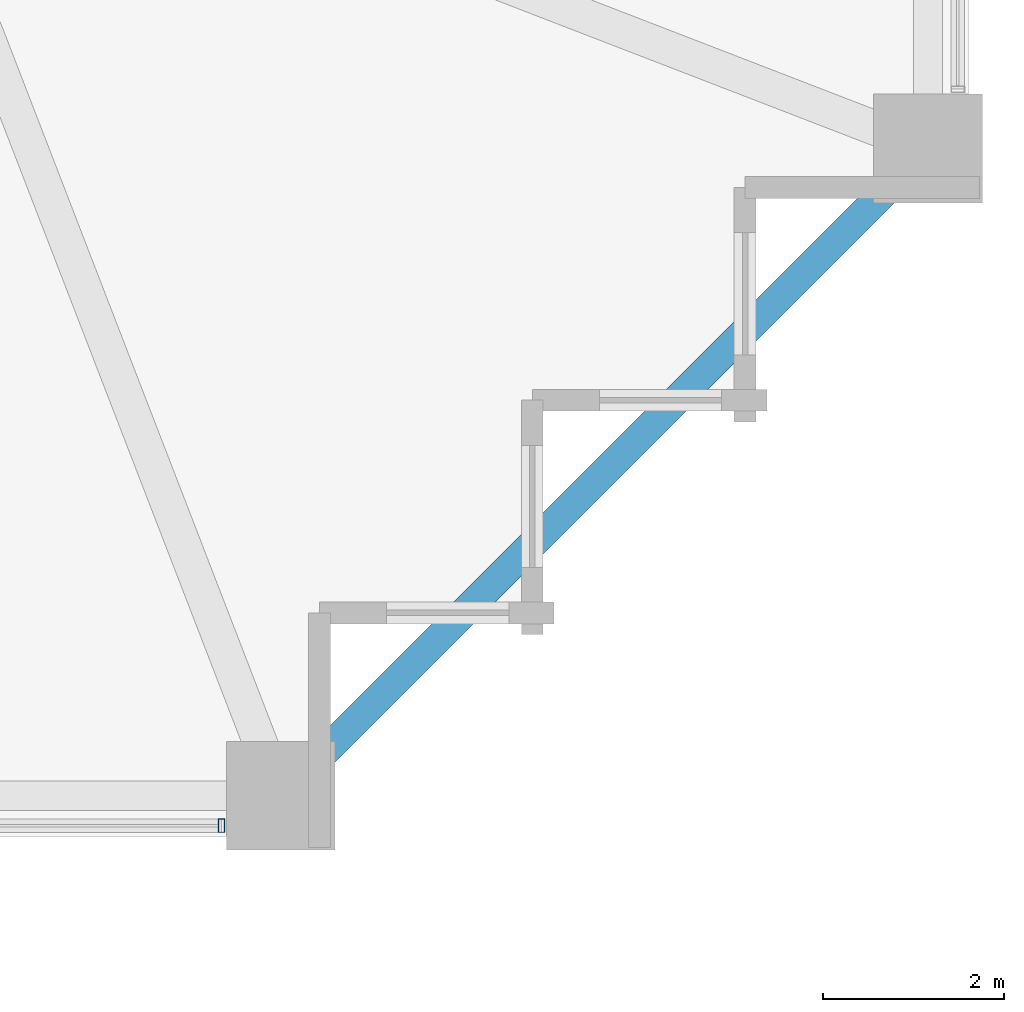
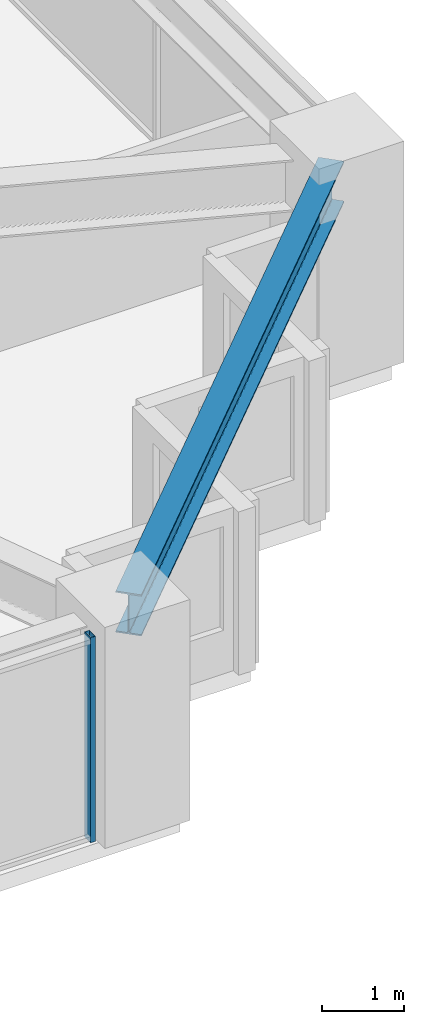
# One storey, part 11 of 38: 1 beam, 1 member, 1 element without a shape of its own.
"""IFC4 building model written with IfcOpenShell, lengths in metres."""

from ifc_helpers import new_model, si_unit, direction, frame, origin, origin_2d, place, context, subcontext, project, spatial, hollow_rectangle, i_section, extrude, material, material_profile, profile_set, type_object, element, aggregate, save


model = new_model("IFC4")

# Units and contexts
model_context = context("Model", 3, precision=1e-05, world=origin(), true_north=direction((0.0, 1.0)))
body_context = subcontext(model_context, "Body", "Model", "MODEL_VIEW")
ifc_project = project(units=[si_unit("LENGTHUNIT", "METRE"), si_unit("AREAUNIT", "SQUARE_METRE"), si_unit("VOLUMEUNIT", "CUBIC_METRE"), si_unit("PLANEANGLEUNIT", "RADIAN"), si_unit("MASSUNIT", "GRAM", prefix="KILO")], contexts=[model_context])

# Site, building, storey
site_placement = place(None, origin())
site = spatial("IfcSite", under=ifc_project, at=site_placement, CompositionType="ELEMENT")
building_placement = place(site_placement, origin())
building = spatial("IfcBuilding", under=site, at=building_placement, Name="Kolvaren Belvedere", CompositionType="ELEMENT")
storey_placement = place(building_placement, frame((0.0, 0.0, 27.10009765625)))
storey = spatial("IfcBuildingStorey", under=building, at=storey_placement, Name="L07", CompositionType="ELEMENT", Elevation=27.10009765625)

# Beam
ifc_material_1 = material(Name="Structural steel ASTM A992 Grade 50", Category="steel")
ifc_material_profile_1 = material_profile(ifc_material_1, i_section(OverallWidth=0.324951171875, OverallDepth=0.615966796875, WebThickness=0.013916015625, FlangeThickness=0.021484375, FilletRadius=0.02001953125, at=origin_2d()), Name="W24X117")
ifc_profile_set_1 = profile_set([ifc_material_profile_1], Name="Structural steel ASTM A992 Grade 50")
beam_type = type_object("IfcBeamType", Name="BM-SPAN-W24X117", PredefinedType="SPANDREL", material=ifc_profile_set_1)
beam_placement = place(storey_placement, frame((14.5908203125, -21.359130859375, 2.751953125), z_axis=(0.707106781187, 0.707106781187, 0.0), x_axis=(-0.707106781187, 0.707106781187, 0.0)))
element("IfcBeam", 1, at=beam_placement, inside=storey, type_object=beam_type, Name="L07 Perimeter Spandrel S4-E1", PredefinedType="SPANDREL", context=body_context, shape_type="SweptSolid", body=[
    extrude(i_section(OverallWidth=0.324951171875, OverallDepth=0.615966796875, WebThickness=0.013916015625, FlangeThickness=0.021484375, FilletRadius=0.02001953125, at=origin_2d()), origin(), (0.0, 0.0, 1.0), 9.57177734375),
])

# Curtain wall, member
ifc_material_2 = material(Name="Anodised pale-metal aluminium AA 6063-T6", Category="aluminium")
curtain_wall_type = type_object("IfcCurtainWallType", Name="CW-Z1-LOW", PredefinedType="NOTDEFINED", material=ifc_material_2)
curtain_wall_placement = place(storey_placement, origin())
curtain_wall = element("IfcCurtainWall", 2, at=curtain_wall_placement, inside=storey, type_object=curtain_wall_type, Name="L07 Unitised Curtain Wall FCW-L07-S1-B1", PredefinedType="NOTDEFINED")
ifc_material_3 = material(Name="Anodised pale-metal aluminium AA 6063-T6", Category="aluminium")
ifc_material_profile_2 = material_profile(ifc_material_3, hollow_rectangle(XDim=0.070068359375, YDim=0.14990234375, WallThickness=0.004150390625, at=origin_2d()), Name="ALU-MUL-150X70")
ifc_profile_set_2 = profile_set([ifc_material_profile_2], Name="Anodised pale-metal aluminium AA 6063-T6")
member_type = type_object("IfcMemberType", Name="CW-MUL-150", PredefinedType="MULLION", material=ifc_profile_set_2)
member_placement = place(storey_placement, frame((13.7451171875, -21.8798828125, 0.0), z_axis=(0.0, 0.0, 1.0), x_axis=(1.0, 0.0, 0.0)))
member = element("IfcMember", 3, at=member_placement, type_object=member_type, Name="FCW-L07-S1-B1 Unitised Mullion 1", PredefinedType="MULLION", context=body_context, shape_type="SweptSolid", body=[
    extrude(hollow_rectangle(XDim=0.070068359375, YDim=0.14990234375, WallThickness=0.004150390625, at=origin_2d()), origin(), (0.0, 0.0, 1.0), 3.059814453125),
])
aggregate(curtain_wall, [member])

save(model, "model.ifc")
